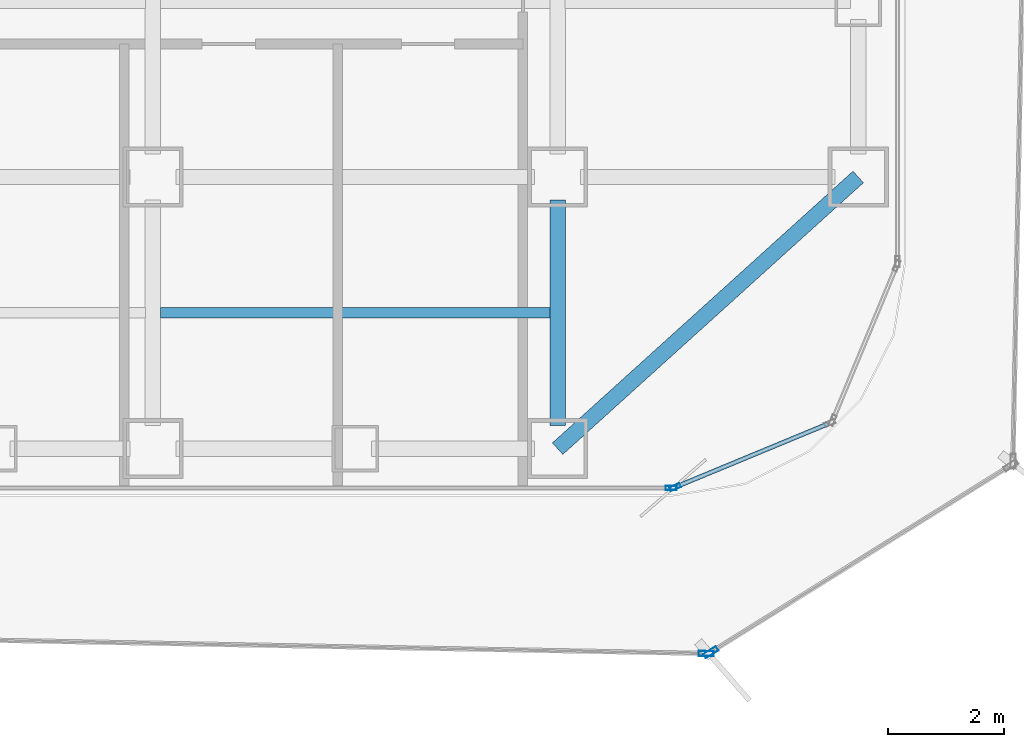
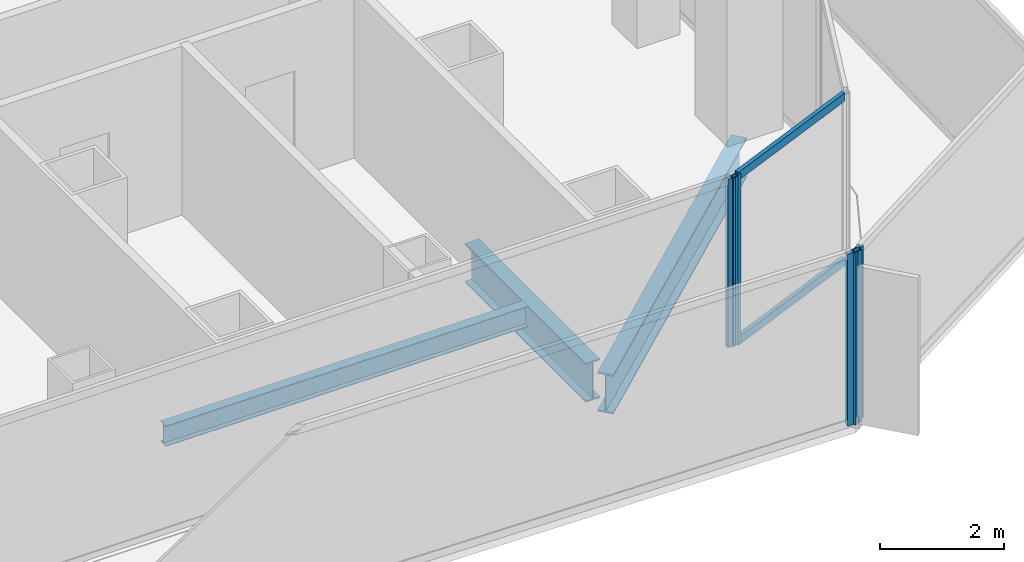
# One storey, part 6 of 22: 6 members, 3 beams, 4 elements without a shape of their own.
"""IFC4 building model written with IfcOpenShell, lengths in metres."""

from ifc_helpers import new_model, si_unit, direction, frame, origin, origin_2d, place, context, subcontext, project, spatial, hollow_rectangle, i_section, extrude, source, transform, mapped, material, layer, layer_set, material_profile, profile_set, type_object, element, aggregate, save


model = new_model("IFC4")

# Units and contexts
model_context = context("Model", 3, precision=1e-05, world=origin(), true_north=direction((0.0, 1.0)))
body_context = subcontext(model_context, "Body", "Model", "MODEL_VIEW")
ifc_project = project(units=[si_unit("LENGTHUNIT", "METRE"), si_unit("AREAUNIT", "SQUARE_METRE"), si_unit("VOLUMEUNIT", "CUBIC_METRE"), si_unit("PLANEANGLEUNIT", "RADIAN"), si_unit("MASSUNIT", "GRAM", prefix="KILO")], contexts=[model_context])

# Site, building, storey
site_placement = place(None, origin())
site = spatial("IfcSite", under=ifc_project, at=site_placement, CompositionType="ELEMENT")
building_placement = place(site_placement, origin())
building = spatial("IfcBuilding", under=site, at=building_placement, Name="Kolveth Station Tower", CompositionType="ELEMENT")
storey_placement = place(building_placement, frame((0.0, 0.0, 81.0)))
storey = spatial("IfcBuildingStorey", under=building, at=storey_placement, Name="L21", CompositionType="ELEMENT", Elevation=81.0)

# Beams
ifc_material_1 = material(Name="Steel S355", Category="steel")
ifc_material_profile_1 = material_profile(ifc_material_1, i_section(OverallWidth=0.26904296875, OverallDepth=0.77490234375, WebThickness=0.01708984375, FlangeThickness=0.0283203125, at=origin_2d()), Name="W760x220")
ifc_profile_set_1 = profile_set([ifc_material_profile_1], Name="Steel S355")
beam_type_1 = type_object("IfcBeamType", Name="Beam_SP1", PredefinedType="SPANDREL", material=ifc_profile_set_1)
shared_shape_1 = source(origin(), body_context, "Body", "SweptSolid", [
    extrude(i_section(OverallWidth=0.26904296875, OverallDepth=0.77490234375, WebThickness=0.01708984375, FlangeThickness=0.0283203125, at=origin_2d()), origin(), (0.0, 0.0, 1.0), 7.00927734375),
])
beam_1_placement = place(storey_placement, frame((41.0, 0.800048828125, -0.66748046875), z_axis=(0.741874009795, 0.670539300557, 0.0), x_axis=(-0.670539300557, 0.741874009795, 0.0)))
element("IfcBeam", 1, at=beam_1_placement, inside=storey, type_object=beam_type_1, Name="L21 Corner Edge Girder BM-L21-CNR-SE", PredefinedType="SPANDREL", context=body_context, shape_type="MappedRepresentation", body=[
    mapped(shared_shape_1, transform((0.0, 0.0, 0.0), x_axis=(1.0, 0.0, 0.0), y_axis=(0.0, 1.0, 0.0), z_axis=(0.0, 0.0, 1.0), scale=1.0)),
])
ifc_material_profile_2 = material_profile(ifc_material_1, i_section(OverallWidth=0.26708984375, OverallDepth=0.76611328125, WebThickness=0.014892578125, FlangeThickness=0.023681640625, at=origin_2d()), Name="W760x185")
ifc_profile_set_2 = profile_set([ifc_material_profile_2], Name="Steel S355")
beam_type_2 = type_object("IfcBeamType", Name="Beam_B3", PredefinedType="BEAM", material=ifc_profile_set_2)
shared_shape_2 = source(origin(), body_context, "Body", "SweptSolid", [
    extrude(i_section(OverallWidth=0.26708984375, OverallDepth=0.76611328125, WebThickness=0.014892578125, FlangeThickness=0.023681640625, at=origin_2d()), origin(), (0.0, 0.0, 1.0), 3.900146484375),
])
beam_2_placement = place(storey_placement, frame((41.0, 1.199951171875, -0.6630859375), z_axis=(0.0, 1.0, 0.0), x_axis=(-1.0, 0.0, 0.0)))
element("IfcBeam", 2, at=beam_2_placement, inside=storey, type_object=beam_type_2, Name="L21 Primary Girder BM-L21-GX410-1", PredefinedType="BEAM", context=body_context, shape_type="MappedRepresentation", body=[
    mapped(shared_shape_2, transform((0.0, 0.0, 0.0), x_axis=(1.0, 0.0, 0.0), y_axis=(0.0, 1.0, 0.0), z_axis=(0.0, 0.0, 1.0), scale=1.0)),
])
ifc_material_profile_3 = material_profile(ifc_material_1, i_section(OverallWidth=0.177978515625, OverallDepth=0.406982421875, WebThickness=0.0078125, FlangeThickness=0.0126953125, at=origin_2d()), Name="W410x60")
ifc_profile_set_3 = profile_set([ifc_material_profile_3], Name="Steel S355")
beam_type_3 = type_object("IfcBeamType", Name="Beam_J1", PredefinedType="JOIST", material=ifc_profile_set_3)
shared_shape_3 = source(origin(), body_context, "Body", "SweptSolid", [
    extrude(i_section(OverallWidth=0.177978515625, OverallDepth=0.406982421875, WebThickness=0.0078125, FlangeThickness=0.0126953125, at=origin_2d()), origin(), (0.0, 0.0, 1.0), 6.73681640625),
])
beam_3_placement = place(storey_placement, frame((34.131591796875, 3.14990234375, -0.4833984375), z_axis=(1.0, 0.0, 0.0), x_axis=(0.0, 1.0, 0.0)))
element("IfcBeam", 3, at=beam_3_placement, inside=storey, type_object=beam_type_3, Name="L21 Secondary Joist JST-L21-6-1", PredefinedType="JOIST", context=body_context, shape_type="MappedRepresentation", body=[
    mapped(shared_shape_3, transform((0.0, 0.0, 0.0), x_axis=(1.0, 0.0, 0.0), y_axis=(0.0, 1.0, 0.0), z_axis=(0.0, 0.0, 1.0), scale=1.0)),
])

# Curtain wall, member
ifc_material_2 = material(Name="Aluminium 6063-T6 and low-E dark glass", Category="aluminium")
ifc_layer_1 = layer(ifc_material_2, 0.179931640625)
ifc_layer_set_1 = layer_set([ifc_layer_1], Name="Aluminium 6063-T6 and low-E dark glass")
curtain_wall_type_1 = type_object("IfcCurtainWallType", Name="CurtainWall_CW-Z1", PredefinedType="NOTDEFINED", material=ifc_layer_set_1)
curtain_wall_1_placement = place(storey_placement, origin())
curtain_wall_1 = element("IfcCurtainWall", 4, at=curtain_wall_1_placement, inside=storey, type_object=curtain_wall_type_1, Name="L21 Inner Thermal Curtain Wall 1", PredefinedType="NOTDEFINED")
ifc_material_3 = material(Name="Black anodized aluminium 6063-T6", Category="aluminium")
ifc_material_profile_4 = material_profile(ifc_material_3, hollow_rectangle(XDim=0.074951171875, YDim=0.18994140625, WallThickness=0.0048828125, at=origin_2d()), Name="ALU-75x190x5")
ifc_profile_set_4 = profile_set([ifc_material_profile_4], Name="Black anodized aluminium 6063-T6")
member_type_1 = type_object("IfcMemberType", Name="Mullion_ML1", PredefinedType="MULLION", material=ifc_profile_set_4)
shared_shape_4 = source(origin(), body_context, "Body", "SweptSolid", [
    extrude(hollow_rectangle(XDim=0.074951171875, YDim=0.18994140625, WallThickness=0.0048828125, at=origin_2d()), origin(), (0.0, 0.0, 1.0), 3.320068359375),
])
member_1_placement = place(storey_placement, frame((43.03466796875, 0.13427734375, 0.0), z_axis=(0.0, 0.0, 1.0), x_axis=(-0.382672990201, 0.923883857728, 0.0)))
member_1 = element("IfcMember", 5, at=member_1_placement, type_object=member_type_1, Name="CW-Z1 mullion 1", PredefinedType="MULLION", context=body_context, shape_type="MappedRepresentation", body=[
    mapped(shared_shape_4, transform((0.0, 0.0, 0.0), x_axis=(1.0, 0.0, 0.0), y_axis=(0.0, 1.0, 0.0), z_axis=(0.0, 0.0, 1.0), scale=1.0)),
])

curtain_wall_2_placement = place(storey_placement, origin())
curtain_wall_2 = element("IfcCurtainWall", 6, at=curtain_wall_2_placement, inside=storey, type_object=curtain_wall_type_1, Name="L21 Inner Thermal Curtain Wall 12", PredefinedType="NOTDEFINED")
member_2_placement = place(storey_placement, frame((42.96240234375, 0.1201171875, 0.0), z_axis=(0.0, 0.0, 1.0), x_axis=(0.0, 1.0, 0.0)))
member_2 = element("IfcMember", 7, at=member_2_placement, type_object=member_type_1, Name="CW-Z1 mullion 3", PredefinedType="MULLION", context=body_context, shape_type="MappedRepresentation", body=[
    mapped(shared_shape_4, transform((0.0, 0.0, 0.0), x_axis=(1.0, 0.0, 0.0), y_axis=(0.0, 1.0, 0.0), z_axis=(0.0, 0.0, 1.0), scale=1.0)),
])
aggregate(curtain_wall_2, [member_2])

# Member
ifc_material_profile_5 = material_profile(ifc_material_3, hollow_rectangle(XDim=0.074951171875, YDim=0.159912109375, WallThickness=0.0048828125, at=origin_2d()), Name="ALU-75x160x5")
ifc_profile_set_5 = profile_set([ifc_material_profile_5], Name="Black anodized aluminium 6063-T6")
member_type_2 = type_object("IfcMemberType", Name="Transom_TR1", PredefinedType="USERDEFINED", material=ifc_profile_set_5)
shared_shape_5 = source(origin(), body_context, "Body", "SweptSolid", [
    extrude(hollow_rectangle(XDim=0.074951171875, YDim=0.159912109375, WallThickness=0.0048828125, at=origin_2d()), origin(), (0.0, 0.0, 1.0), 2.819580078125),
])
member_3_placement = place(storey_placement, frame((43.0693359375, 0.148681640625, 0.03759765625), z_axis=(0.923869084389, 0.382708655389, 0.0), x_axis=(-0.382708655389, 0.923869084389, 0.0)))
member_3 = element("IfcMember", 8, at=member_3_placement, type_object=member_type_2, Name="CW-Z1 transom 1.1", ObjectType="TRANSOM", PredefinedType="USERDEFINED", context=body_context, shape_type="MappedRepresentation", body=[
    mapped(shared_shape_5, transform((0.0, 0.0, 0.0), x_axis=(1.0, 0.0, 0.0), y_axis=(0.0, 1.0, 0.0), z_axis=(0.0, 0.0, 1.0), scale=1.0)),
])

member_4_placement = place(storey_placement, frame((43.0693359375, 0.148681640625, 3.282470703125), z_axis=(0.923869084389, 0.382708655389, 0.0), x_axis=(-0.382708655389, 0.923869084389, 0.0)))
member_4 = element("IfcMember", 9, at=member_4_placement, type_object=member_type_2, Name="CW-Z1 transom 1.2", ObjectType="TRANSOM", PredefinedType="USERDEFINED", context=body_context, shape_type="MappedRepresentation", body=[
    mapped(shared_shape_5, transform((0.0, 0.0, 0.0), x_axis=(1.0, 0.0, 0.0), y_axis=(0.0, 1.0, 0.0), z_axis=(0.0, 0.0, 1.0), scale=1.0)),
])

aggregate(curtain_wall_1, [member_1, member_3, member_4])

# Curtain wall, member
ifc_material_4 = material(Name="Black anodized aluminium 6063-T6 and dark solar glass", Category="aluminium")
ifc_layer_2 = layer(ifc_material_4, 0.159912109375)
ifc_layer_set_2 = layer_set([ifc_layer_2], Name="Black anodized aluminium 6063-T6 and dark solar glass")
curtain_wall_type_2 = type_object("IfcCurtainWallType", Name="OUTER SKIN CW-OS", PredefinedType="NOTDEFINED", material=ifc_layer_set_2)
curtain_wall_3_placement = place(storey_placement, origin())
curtain_wall_3 = element("IfcCurtainWall", 10, at=curtain_wall_3_placement, inside=storey, type_object=curtain_wall_type_2, Name="L21 Outer Ventilated Skin Curtain Wall 1", PredefinedType="NOTDEFINED")
ifc_material_profile_6 = material_profile(ifc_material_3, hollow_rectangle(XDim=0.090087890625, YDim=0.260009765625, WallThickness=0.0048828125, at=origin_2d()), Name="ALU-90x260x5")
ifc_profile_set_6 = profile_set([ifc_material_profile_6], Name="Black anodized aluminium 6063-T6")
member_type_3 = type_object("IfcMemberType", Name="FIN MULLION ML-OS", PredefinedType="MULLION", material=ifc_profile_set_6)
shared_shape_6 = source(origin(), body_context, "Body", "SweptSolid", [
    extrude(hollow_rectangle(XDim=0.090087890625, YDim=0.260009765625, WallThickness=0.0048828125, at=origin_2d()), origin(), (0.0, 0.0, 1.0), 3.389892578125),
])
member_5_placement = place(storey_placement, frame((43.6513671875, -2.72216796875, 0.0), z_axis=(0.0, 0.0, 1.0), x_axis=(-0.52865968893, 0.848833866725, 0.0)))
member_5 = element("IfcMember", 11, at=member_5_placement, type_object=member_type_3, Name="CW-OS mullion 1", PredefinedType="MULLION", context=body_context, shape_type="MappedRepresentation", body=[
    mapped(shared_shape_6, transform((0.0, 0.0, 0.0), x_axis=(1.0, 0.0, 0.0), y_axis=(0.0, 1.0, 0.0), z_axis=(0.0, 0.0, 1.0), scale=1.0)),
])
aggregate(curtain_wall_3, [member_5])

curtain_wall_4_placement = place(storey_placement, origin())
curtain_wall_4 = element("IfcCurtainWall", 12, at=curtain_wall_4_placement, inside=storey, type_object=curtain_wall_type_2, Name="L21 Outer Ventilated Skin Curtain Wall 8", PredefinedType="NOTDEFINED")
member_6_placement = place(storey_placement, frame((43.568115234375, -2.7451171875, 0.0), z_axis=(0.0, 0.0, 1.0), x_axis=(0.018493788461, 0.999828975269, 0.0)))
member_6 = element("IfcMember", 13, at=member_6_placement, type_object=member_type_3, Name="CW-OS mullion 2", PredefinedType="MULLION", context=body_context, shape_type="MappedRepresentation", body=[
    mapped(shared_shape_6, transform((0.0, 0.0, 0.0), x_axis=(1.0, 0.0, 0.0), y_axis=(0.0, 1.0, 0.0), z_axis=(0.0, 0.0, 1.0), scale=1.0)),
])
aggregate(curtain_wall_4, [member_6])

save(model, "model.ifc")
